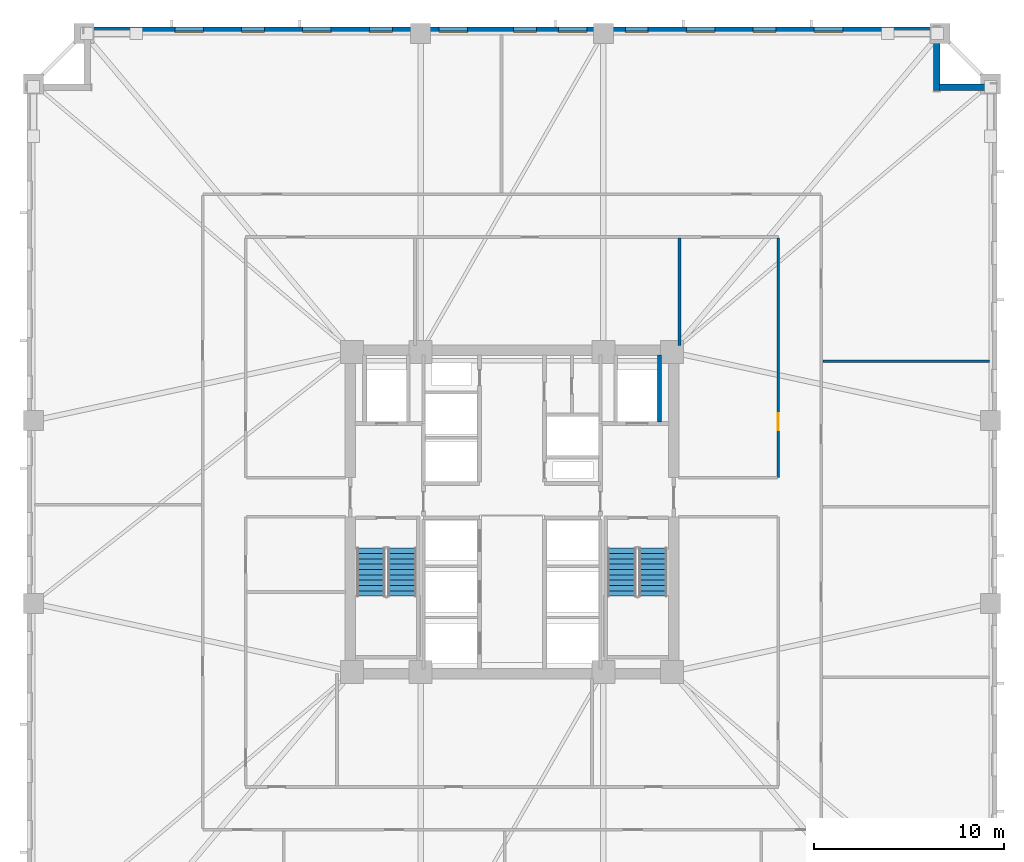
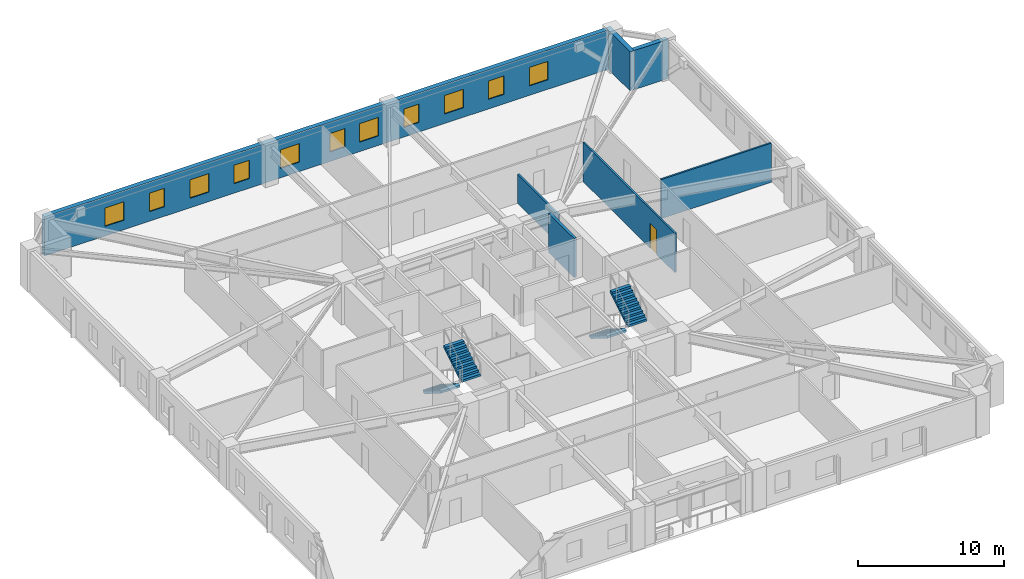
# One storey, part 6 of 11: 11 windows, 7 walls, 4 stair flights, 1 door, 12 openings, 2 elements without a shape of their own.
"""IFC4 building model written with IfcOpenShell, lengths in metres."""

from ifc_helpers import new_model, si_unit, direction, frame, frame_2d, origin, place, context, subcontext, project, spatial, polyline, rectangle, outline, extrude, material, layer, layer_set, type_object, element, fill, aggregate, save


model = new_model("IFC4")

# Units and contexts
model_context = context("Model", 3, precision=1e-05, world=origin(), true_north=direction((0.0, 1.0)))
body_context = subcontext(model_context, "Body", "Model", "MODEL_VIEW")
ifc_project = project(units=[si_unit("LENGTHUNIT", "METRE"), si_unit("AREAUNIT", "SQUARE_METRE"), si_unit("VOLUMEUNIT", "CUBIC_METRE"), si_unit("PLANEANGLEUNIT", "RADIAN"), si_unit("MASSUNIT", "GRAM", prefix="KILO")], contexts=[model_context])

# Site, building, storey
site_placement = place(None, origin())
site = spatial("IfcSite", under=ifc_project, at=site_placement, CompositionType="ELEMENT")
building_placement = place(site_placement, origin())
building = spatial("IfcBuilding", under=site, at=building_placement, Name="Cairnveth Concourse Tower", CompositionType="ELEMENT")
storey_placement = place(building_placement, frame((0.0, 0.0, 37.5)))
storey = spatial("IfcBuildingStorey", under=building, at=storey_placement, Name="L09", CompositionType="ELEMENT", Elevation=37.5)

# Wall
ifc_material_1 = material(Name="Concrete N50 (50 MPa)", Category="concrete")
ifc_layer_1 = layer(ifc_material_1, 0.199951171875)
ifc_layer_set_1 = layer_set([ifc_layer_1], Name="Concrete N50 (50 MPa)")
wall_type_1 = type_object("IfcWallType", Name="FIRE SHAFT WALL 200", PredefinedType="SOLIDWALL", material=ifc_layer_set_1)
wall_1_placement = place(storey_placement, frame((59.75, 43.735107421875, 0.0), z_axis=(0.0, 0.0, 1.0), x_axis=(0.0, 1.0, 0.0)))
element("IfcWall", 1, at=wall_1_placement, inside=storey, type_object=wall_type_1, Name="Interior Wall IW-L09-024", PredefinedType="SOLIDWALL", context=body_context, shape_type="SweptSolid", body=[
    extrude(rectangle(XDim=3.5048828125, YDim=0.199951171875, at=frame_2d((1.75244140625, 0.0))), origin(), (0.0, 0.0, 1.0), 3.280029296875),
])

# Wall, opening, door
ifc_material_2 = material(Name="Gypsum Plasterboard Partition", Category="gypsum")
ifc_layer_2 = layer(ifc_material_2, 0.139892578125)
ifc_layer_set_2 = layer_set([ifc_layer_2], Name="Gypsum Plasterboard Partition")
wall_type_2 = type_object("IfcWallType", Name="GYPSUM STUD PARTITION 140", PredefinedType="PARTITIONING", material=ifc_layer_set_2)
wall_2_placement = place(storey_placement, frame((66.0, 40.800048828125, 0.0), z_axis=(0.0, 0.0, 1.0), x_axis=(0.0, 1.0, 0.0)))
wall_2 = element("IfcWall", 2, at=wall_2_placement, inside=storey, type_object=wall_type_2, Name="Interior Wall IW-L09-049", PredefinedType="PARTITIONING", context=body_context, shape_type="SweptSolid", body=[
    extrude(rectangle(XDim=12.594970703125, YDim=0.139892578125, at=frame_2d((6.29736328125, 0.0))), origin(), (0.0, 0.0, 1.0), 3.280029296875),
])
opening_1_placement = place(wall_2_placement, frame((2.5, 0.0, 0.0)))
opening_1 = element("IfcOpeningElement", 3, at=opening_1_placement, cuts=wall_2, Name="Opening ID18", PredefinedType="OPENING", context=body_context, shape_type="SweptSolid", body=[
    extrude(rectangle(XDim=0.8798828125, YDim=2.10009765625, at=frame_2d((0.43994140625, 1.050048828125))), frame((0.0, 0.079833984375, 0.0), z_axis=(0.0, -1.0, 0.0), x_axis=(1.0, 0.0, 0.0)), (0.0, 0.0, 1.0), 0.159912109375),
])
ifc_material_3 = material(Name="Solid Core Hardwood Timber Leaf", Category="wood")
door_type = type_object("IfcDoorType", Name="INTERIOR SINGLE DOOR 880X2100", OperationType="NOTDEFINED", PredefinedType="DOOR", material=ifc_material_3)
door_placement = place(opening_1_placement, origin())
door = element("IfcDoor", 4, at=door_placement, inside=storey, type_object=door_type, Name="Interior Door DR-L09-024", OperationType="SINGLE_SWING_RIGHT", OverallHeight=2.10009765625, OverallWidth=0.8798828125, PredefinedType="DOOR", context=body_context, shape_type="SweptSolid", body=[
    extrude(rectangle(XDim=0.8798828125, YDim=2.10009765625, at=frame_2d((0.43994140625, 1.050048828125))), frame((0.0, 0.02490234375, 0.0), z_axis=(0.0, -1.0, 0.0), x_axis=(1.0, 0.0, 0.0)), (0.0, 0.0, 1.0), 0.050048828125),
])
fill(opening_1, door)

# Walls
wall_3_placement = place(storey_placement, frame((60.800048828125, 47.760009765625, 0.0), z_axis=(0.0, 0.0, 1.0), x_axis=(0.0, 1.0, 0.0)))
element("IfcWall", 5, at=wall_3_placement, inside=storey, type_object=wall_type_2, Name="Interior Wall IW-L09-055", PredefinedType="PARTITIONING", context=body_context, shape_type="SweptSolid", body=[
    extrude(rectangle(XDim=5.635009765625, YDim=0.139892578125, at=frame_2d((2.8173828125, 0.0))), origin(), (0.0, 0.0, 1.0), 2.43896484375),
])
wall_4_placement = place(storey_placement, frame((68.35009765625, 46.913330078125, 0.0), z_axis=(0.0, 0.0, 1.0), x_axis=(1.0, 0.0, 0.0)))
element("IfcWall", 6, at=wall_4_placement, inside=storey, type_object=wall_type_2, Name="Interior Wall IW-L09-064", PredefinedType="PARTITIONING", context=body_context, shape_type="SweptSolid", body=[
    extrude(rectangle(XDim=8.72998046875, YDim=0.139892578125, at=frame_2d((4.364990234375, 0.0))), origin(), (0.0, 0.0, 1.0), 3.280029296875),
])

# Wall, openings, windows
ifc_material_4 = material(Name="Hawthorn Red-Ochre Fired Clay Brick Masonry", Category="masonry")
ifc_layer_3 = layer(ifc_material_4, 0.360107421875)
ifc_layer_set_3 = layer_set([ifc_layer_3], Name="Hawthorn Red-Ochre Fired Clay Brick Masonry")
wall_type_3 = type_object("IfcWallType", Name="ZONE 1 BRICK PIER SPANDREL WALL 360", PredefinedType="SOLIDWALL", material=ifc_layer_set_3)
wall_5_placement = place(storey_placement, frame((29.5, 64.320068359375, 0.0), z_axis=(0.0, 0.0, 1.0), x_axis=(1.0, 0.0, 0.0)))
wall_5 = element("IfcWall", 7, at=wall_5_placement, inside=storey, type_object=wall_type_3, Name="Exterior Wall EW-L09-S06", PredefinedType="SOLIDWALL", context=body_context, shape_type="SweptSolid", body=[
    extrude(rectangle(XDim=44.662109375, YDim=0.360107421875, at=frame_2d((22.3310546875, 0.0))), origin(), (0.0, 0.0, 1.0), 3.280029296875),
])
opening_2_placement = place(wall_5_placement, frame((4.780029296875, 0.0, 0.800048828125)))
opening_2 = element("IfcOpeningElement", 8, at=opening_2_placement, cuts=wall_5, Name="Opening W03", PredefinedType="OPENING", context=body_context, shape_type="SweptSolid", body=[
    extrude(rectangle(XDim=1.5, YDim=1.5439453125, at=frame_2d((0.75, 0.77197265625))), frame((0.0, 0.18994140625, 0.0), z_axis=(0.0, -1.0, 0.0), x_axis=(1.0, 0.0, 0.0)), (0.0, 0.0, 1.0), 0.380126953125),
])
opening_3_placement = place(wall_5_placement, frame((8.290283203125, 0.0, 0.800048828125)))
opening_3 = element("IfcOpeningElement", 9, at=opening_3_placement, cuts=wall_5, Name="Opening W01", PredefinedType="OPENING", context=body_context, shape_type="SweptSolid", body=[
    extrude(rectangle(XDim=1.199951171875, YDim=1.5439453125, at=frame_2d((0.60009765625, 0.77197265625))), frame((0.0, 0.18994140625, 0.0), z_axis=(0.0, -1.0, 0.0), x_axis=(1.0, 0.0, 0.0)), (0.0, 0.0, 1.0), 0.380126953125),
])
opening_4_placement = place(wall_5_placement, frame((11.50048828125, 0.0, 0.800048828125)))
opening_4 = element("IfcOpeningElement", 10, at=opening_4_placement, cuts=wall_5, Name="Opening W03", PredefinedType="OPENING", context=body_context, shape_type="SweptSolid", body=[
    extrude(rectangle(XDim=1.5, YDim=1.5439453125, at=frame_2d((0.75, 0.77197265625))), frame((0.0, 0.18994140625, 0.0), z_axis=(0.0, -1.0, 0.0), x_axis=(1.0, 0.0, 0.0)), (0.0, 0.0, 1.0), 0.380126953125),
])
opening_5_placement = place(wall_5_placement, frame((15.010498046875, 0.0, 0.800048828125)))
opening_5 = element("IfcOpeningElement", 11, at=opening_5_placement, cuts=wall_5, Name="Opening W01", PredefinedType="OPENING", context=body_context, shape_type="SweptSolid", body=[
    extrude(rectangle(XDim=1.199951171875, YDim=1.5439453125, at=frame_2d((0.60009765625, 0.77197265625))), frame((0.0, 0.18994140625, 0.0), z_axis=(0.0, -1.0, 0.0), x_axis=(1.0, 0.0, 0.0)), (0.0, 0.0, 1.0), 0.380126953125),
])
opening_6_placement = place(wall_5_placement, frame((18.6708984375, 0.0, 0.800048828125)))
opening_6 = element("IfcOpeningElement", 12, at=opening_6_placement, cuts=wall_5, Name="Opening W03", PredefinedType="OPENING", context=body_context, shape_type="SweptSolid", body=[
    extrude(rectangle(XDim=1.5, YDim=1.5439453125, at=frame_2d((0.75, 0.77197265625))), frame((0.0, 0.18994140625, 0.0), z_axis=(0.0, -1.0, 0.0), x_axis=(1.0, 0.0, 0.0)), (0.0, 0.0, 1.0), 0.380126953125),
])
opening_7_placement = place(wall_5_placement, frame((22.5810546875, 0.0, 0.800048828125)))
opening_7 = element("IfcOpeningElement", 13, at=opening_7_placement, cuts=wall_5, Name="Opening W01", PredefinedType="OPENING", context=body_context, shape_type="SweptSolid", body=[
    extrude(rectangle(XDim=1.199951171875, YDim=1.5439453125, at=frame_2d((0.60009765625, 0.77197265625))), frame((0.0, 0.18994140625, 0.0), z_axis=(0.0, -1.0, 0.0), x_axis=(1.0, 0.0, 0.0)), (0.0, 0.0, 1.0), 0.380126953125),
])
opening_8_placement = place(wall_5_placement, frame((24.941162109375, 0.0, 0.800048828125)))
opening_8 = element("IfcOpeningElement", 14, at=opening_8_placement, cuts=wall_5, Name="Opening W03", PredefinedType="OPENING", context=body_context, shape_type="SweptSolid", body=[
    extrude(rectangle(XDim=1.5, YDim=1.5439453125, at=frame_2d((0.75, 0.77197265625))), frame((0.0, 0.18994140625, 0.0), z_axis=(0.0, -1.0, 0.0), x_axis=(1.0, 0.0, 0.0)), (0.0, 0.0, 1.0), 0.380126953125),
])
opening_9_placement = place(wall_5_placement, frame((28.451416015625, 0.0, 0.800048828125)))
opening_9 = element("IfcOpeningElement", 15, at=opening_9_placement, cuts=wall_5, Name="Opening W01", PredefinedType="OPENING", context=body_context, shape_type="SweptSolid", body=[
    extrude(rectangle(XDim=1.199951171875, YDim=1.5439453125, at=frame_2d((0.60009765625, 0.77197265625))), frame((0.0, 0.18994140625, 0.0), z_axis=(0.0, -1.0, 0.0), x_axis=(1.0, 0.0, 0.0)), (0.0, 0.0, 1.0), 0.380126953125),
])
opening_10_placement = place(wall_5_placement, frame((31.66162109375, 0.0, 0.800048828125)))
opening_10 = element("IfcOpeningElement", 16, at=opening_10_placement, cuts=wall_5, Name="Opening W03", PredefinedType="OPENING", context=body_context, shape_type="SweptSolid", body=[
    extrude(rectangle(XDim=1.5, YDim=1.5439453125, at=frame_2d((0.75, 0.77197265625))), frame((0.0, 0.18994140625, 0.0), z_axis=(0.0, -1.0, 0.0), x_axis=(1.0, 0.0, 0.0)), (0.0, 0.0, 1.0), 0.380126953125),
])
opening_11_placement = place(wall_5_placement, frame((35.171630859375, 0.0, 0.800048828125)))
opening_11 = element("IfcOpeningElement", 17, at=opening_11_placement, cuts=wall_5, Name="Opening W01", PredefinedType="OPENING", context=body_context, shape_type="SweptSolid", body=[
    extrude(rectangle(XDim=1.199951171875, YDim=1.5439453125, at=frame_2d((0.60009765625, 0.77197265625))), frame((0.0, 0.18994140625, 0.0), z_axis=(0.0, -1.0, 0.0), x_axis=(1.0, 0.0, 0.0)), (0.0, 0.0, 1.0), 0.380126953125),
])
opening_12_placement = place(wall_5_placement, frame((38.3818359375, 0.0, 0.800048828125)))
opening_12 = element("IfcOpeningElement", 18, at=opening_12_placement, cuts=wall_5, Name="Opening W03", PredefinedType="OPENING", context=body_context, shape_type="SweptSolid", body=[
    extrude(rectangle(XDim=1.5, YDim=1.5439453125, at=frame_2d((0.75, 0.77197265625))), frame((0.0, 0.18994140625, 0.0), z_axis=(0.0, -1.0, 0.0), x_axis=(1.0, 0.0, 0.0)), (0.0, 0.0, 1.0), 0.380126953125),
])
ifc_material_5 = material(Name="Double Glazed Low-E Clear Glass", Category="glass")
window_type_1 = type_object("IfcWindowType", Name="DEEP-SET GOTHIC LANCET WINDOW 1200X1800", PartitioningType="DOUBLE_PANEL_VERTICAL", PredefinedType="WINDOW", material=ifc_material_5)
window_1_placement = place(opening_3_placement, origin())
window_1 = element("IfcWindow", 19, at=window_1_placement, inside=storey, type_object=window_type_1, Name="Gothic Lancet Window L09-6-2", OverallHeight=1.5439453125, OverallWidth=1.199951171875, PartitioningType="SINGLE_PANEL", PredefinedType="WINDOW", context=body_context, shape_type="SweptSolid", body=[
    extrude(rectangle(XDim=1.199951171875, YDim=1.5439453125, at=frame_2d((0.60009765625, 0.77197265625))), frame((0.0, -0.050048828125, 0.0), z_axis=(0.0, -1.0, 0.0), x_axis=(1.0, 0.0, 0.0)), (0.0, 0.0, 1.0), 0.06005859375),
])
fill(opening_3, window_1)
window_2_placement = place(opening_5_placement, origin())
window_2 = element("IfcWindow", 20, at=window_2_placement, inside=storey, type_object=window_type_1, Name="Gothic Lancet Window L09-6-4", OverallHeight=1.5439453125, OverallWidth=1.199951171875, PartitioningType="SINGLE_PANEL", PredefinedType="WINDOW", context=body_context, shape_type="SweptSolid", body=[
    extrude(rectangle(XDim=1.199951171875, YDim=1.5439453125, at=frame_2d((0.60009765625, 0.77197265625))), frame((0.0, -0.050048828125, 0.0), z_axis=(0.0, -1.0, 0.0), x_axis=(1.0, 0.0, 0.0)), (0.0, 0.0, 1.0), 0.06005859375),
])
fill(opening_5, window_2)
window_3_placement = place(opening_7_placement, origin())
window_3 = element("IfcWindow", 21, at=window_3_placement, inside=storey, type_object=window_type_1, Name="Gothic Lancet Window L09-6-6", OverallHeight=1.5439453125, OverallWidth=1.199951171875, PartitioningType="SINGLE_PANEL", PredefinedType="WINDOW", context=body_context, shape_type="SweptSolid", body=[
    extrude(rectangle(XDim=1.199951171875, YDim=1.5439453125, at=frame_2d((0.60009765625, 0.77197265625))), frame((0.0, -0.050048828125, 0.0), z_axis=(0.0, -1.0, 0.0), x_axis=(1.0, 0.0, 0.0)), (0.0, 0.0, 1.0), 0.06005859375),
])
fill(opening_7, window_3)
window_4_placement = place(opening_9_placement, origin())
window_4 = element("IfcWindow", 22, at=window_4_placement, inside=storey, type_object=window_type_1, Name="Gothic Lancet Window L09-6-8", OverallHeight=1.5439453125, OverallWidth=1.199951171875, PartitioningType="SINGLE_PANEL", PredefinedType="WINDOW", context=body_context, shape_type="SweptSolid", body=[
    extrude(rectangle(XDim=1.199951171875, YDim=1.5439453125, at=frame_2d((0.60009765625, 0.77197265625))), frame((0.0, -0.050048828125, 0.0), z_axis=(0.0, -1.0, 0.0), x_axis=(1.0, 0.0, 0.0)), (0.0, 0.0, 1.0), 0.06005859375),
])
fill(opening_9, window_4)
window_5_placement = place(opening_11_placement, origin())
window_5 = element("IfcWindow", 23, at=window_5_placement, inside=storey, type_object=window_type_1, Name="Gothic Lancet Window L09-6-10", OverallHeight=1.5439453125, OverallWidth=1.199951171875, PartitioningType="SINGLE_PANEL", PredefinedType="WINDOW", context=body_context, shape_type="SweptSolid", body=[
    extrude(rectangle(XDim=1.199951171875, YDim=1.5439453125, at=frame_2d((0.60009765625, 0.77197265625))), frame((0.0, -0.050048828125, 0.0), z_axis=(0.0, -1.0, 0.0), x_axis=(1.0, 0.0, 0.0)), (0.0, 0.0, 1.0), 0.06005859375),
])
fill(opening_11, window_5)
window_type_2 = type_object("IfcWindowType", Name="DEEP-SET GOTHIC LANCET WINDOW 1500X1800", PartitioningType="DOUBLE_PANEL_VERTICAL", PredefinedType="WINDOW", material=ifc_material_5)
window_6_placement = place(opening_2_placement, origin())
window_6 = element("IfcWindow", 24, at=window_6_placement, inside=storey, type_object=window_type_2, Name="Gothic Lancet Window L09-6-1", OverallHeight=1.5439453125, OverallWidth=1.5, PartitioningType="SINGLE_PANEL", PredefinedType="WINDOW", context=body_context, shape_type="SweptSolid", body=[
    extrude(rectangle(XDim=1.5, YDim=1.5439453125, at=frame_2d((0.75, 0.77197265625))), frame((0.0, -0.050048828125, 0.0), z_axis=(0.0, -1.0, 0.0), x_axis=(1.0, 0.0, 0.0)), (0.0, 0.0, 1.0), 0.06005859375),
])
fill(opening_2, window_6)
window_7_placement = place(opening_4_placement, origin())
window_7 = element("IfcWindow", 25, at=window_7_placement, inside=storey, type_object=window_type_2, Name="Gothic Lancet Window L09-6-3", OverallHeight=1.5439453125, OverallWidth=1.5, PartitioningType="SINGLE_PANEL", PredefinedType="WINDOW", context=body_context, shape_type="SweptSolid", body=[
    extrude(rectangle(XDim=1.5, YDim=1.5439453125, at=frame_2d((0.75, 0.77197265625))), frame((0.0, -0.050048828125, 0.0), z_axis=(0.0, -1.0, 0.0), x_axis=(1.0, 0.0, 0.0)), (0.0, 0.0, 1.0), 0.06005859375),
])
fill(opening_4, window_7)
window_8_placement = place(opening_6_placement, origin())
window_8 = element("IfcWindow", 26, at=window_8_placement, inside=storey, type_object=window_type_2, Name="Gothic Lancet Window L09-6-5", OverallHeight=1.5439453125, OverallWidth=1.5, PartitioningType="SINGLE_PANEL", PredefinedType="WINDOW", context=body_context, shape_type="SweptSolid", body=[
    extrude(rectangle(XDim=1.5, YDim=1.5439453125, at=frame_2d((0.75, 0.77197265625))), frame((0.0, -0.050048828125, 0.0), z_axis=(0.0, -1.0, 0.0), x_axis=(1.0, 0.0, 0.0)), (0.0, 0.0, 1.0), 0.06005859375),
])
fill(opening_6, window_8)
window_9_placement = place(opening_8_placement, origin())
window_9 = element("IfcWindow", 27, at=window_9_placement, inside=storey, type_object=window_type_2, Name="Gothic Lancet Window L09-6-7", OverallHeight=1.5439453125, OverallWidth=1.5, PartitioningType="SINGLE_PANEL", PredefinedType="WINDOW", context=body_context, shape_type="SweptSolid", body=[
    extrude(rectangle(XDim=1.5, YDim=1.5439453125, at=frame_2d((0.75, 0.77197265625))), frame((0.0, -0.050048828125, 0.0), z_axis=(0.0, -1.0, 0.0), x_axis=(1.0, 0.0, 0.0)), (0.0, 0.0, 1.0), 0.06005859375),
])
fill(opening_8, window_9)
window_10_placement = place(opening_10_placement, origin())
window_10 = element("IfcWindow", 28, at=window_10_placement, inside=storey, type_object=window_type_2, Name="Gothic Lancet Window L09-6-9", OverallHeight=1.5439453125, OverallWidth=1.5, PartitioningType="SINGLE_PANEL", PredefinedType="WINDOW", context=body_context, shape_type="SweptSolid", body=[
    extrude(rectangle(XDim=1.5, YDim=1.5439453125, at=frame_2d((0.75, 0.77197265625))), frame((0.0, -0.050048828125, 0.0), z_axis=(0.0, -1.0, 0.0), x_axis=(1.0, 0.0, 0.0)), (0.0, 0.0, 1.0), 0.06005859375),
])
fill(opening_10, window_10)
window_11_placement = place(opening_12_placement, origin())
window_11 = element("IfcWindow", 29, at=window_11_placement, inside=storey, type_object=window_type_2, Name="Gothic Lancet Window L09-6-11", OverallHeight=1.5439453125, OverallWidth=1.5, PartitioningType="SINGLE_PANEL", PredefinedType="WINDOW", context=body_context, shape_type="SweptSolid", body=[
    extrude(rectangle(XDim=1.5, YDim=1.5439453125, at=frame_2d((0.75, 0.77197265625))), frame((0.0, -0.050048828125, 0.0), z_axis=(0.0, -1.0, 0.0), x_axis=(1.0, 0.0, 0.0)), (0.0, 0.0, 1.0), 0.06005859375),
])
fill(opening_12, window_11)

# Walls
wall_6_placement = place(storey_placement, frame((74.320068359375, 64.5, 0.0), z_axis=(0.0, 0.0, 1.0), x_axis=(0.0, -1.0, 0.0)))
element("IfcWall", 30, at=wall_6_placement, inside=storey, type_object=wall_type_3, Name="Exterior Wall EW-L09-S07", PredefinedType="SOLIDWALL", context=body_context, shape_type="SweptSolid", body=[
    extrude(rectangle(XDim=3.360107421875, YDim=0.360107421875, at=frame_2d((1.68017578125, 0.0))), origin(), (0.0, 0.0, 1.0), 3.280029296875),
])
wall_7_placement = place(storey_placement, frame((74.47802734375, 61.320068359375, 0.0), z_axis=(0.0, 0.0, 1.0), x_axis=(1.0, 0.0, 0.0)))
element("IfcWall", 31, at=wall_7_placement, inside=storey, type_object=wall_type_3, Name="Exterior Wall EW-L09-S08", PredefinedType="SOLIDWALL", context=body_context, shape_type="SweptSolid", body=[
    extrude(rectangle(XDim=2.68408203125, YDim=0.360107421875, at=frame_2d((1.342041015625, 0.0))), origin(), (0.0, 0.0, 1.0), 3.280029296875),
])

# Stair, stair flights
ifc_material_6 = material(Name="Precast concrete N50 (50 MPa)", Category="concrete")
stair_type = type_object("IfcStairType", Name="CORE DOG-LEG FIRE STAIR 1500", PredefinedType="HALF_TURN_STAIR", material=ifc_material_6)
stair_1_placement = place(storey_placement, origin())
stair_1 = element("IfcStair", 32, at=stair_1_placement, inside=storey, type_object=stair_type, Name="L09 Fire-Isolated Stair ST-1", PredefinedType="HALF_TURN_STAIR")
stair_flight_type = type_object("IfcStairFlightType", Name="PRECAST CONCRETE STAIR FLIGHT 1500", PredefinedType="STRAIGHT", material=ifc_material_6)
stair_flight_1_placement = place(storey_placement, frame((44.590087890625, 37.10009765625, 0.0), z_axis=(0.0, 0.0, 1.0), x_axis=(0.0, -1.0, 0.0)))
stair_flight_1 = element("IfcStairFlight", 33, at=stair_flight_1_placement, type_object=stair_flight_type, Name="ST-1 flight 1", NumberOfRisers=10, NumberOfTreads=9, PredefinedType="STRAIGHT", RiserHeight=0.175, TreadLength=0.28, context=body_context, shape_type="SweptSolid", body=[
    extrude(outline(polyline([(0.0, 0.0), (0.0, 0.175048828125), (0.280029296875, 0.175048828125), (0.280029296875, 0.35009765625), (0.56005859375, 0.35009765625), (0.56005859375, 0.52490234375), (0.840087890625, 0.52490234375), (0.840087890625, 0.699951171875), (1.1201171875, 0.699951171875), (1.1201171875, 0.875), (1.39990234375, 0.875), (1.39990234375, 1.050048828125), (1.679931640625, 1.050048828125), (1.679931640625, 1.22509765625), (1.9599609375, 1.22509765625), (1.9599609375, 1.39990234375), (2.239990234375, 1.39990234375), (2.239990234375, 1.574951171875), (2.52001953125, 1.574951171875), (2.52001953125, 1.75), (2.52001953125, 1.398193359375), (0.28271484375, 0.0), (0.0, 0.0)])), frame((0.0, 0.75, 0.0), z_axis=(0.0, -1.0, 0.0), x_axis=(1.0, 0.0, 0.0)), (0.0, 0.0, 1.0), 1.5),
])
stair_flight_2_placement = place(storey_placement, frame((46.22998046875, 34.580078125, 1.75), z_axis=(0.0, 0.0, 1.0), x_axis=(0.0, 1.0, 0.0)))
stair_flight_2 = element("IfcStairFlight", 34, at=stair_flight_2_placement, type_object=stair_flight_type, Name="ST-1 flight 2", NumberOfRisers=10, NumberOfTreads=9, PredefinedType="STRAIGHT", RiserHeight=0.175, TreadLength=0.28, context=body_context, shape_type="SweptSolid", body=[
    extrude(outline(polyline([(0.0, 0.0), (0.0, 0.175048828125), (0.280029296875, 0.175048828125), (0.280029296875, 0.35009765625), (0.56005859375, 0.35009765625), (0.56005859375, 0.52490234375), (0.840087890625, 0.52490234375), (0.840087890625, 0.699951171875), (1.1201171875, 0.699951171875), (1.1201171875, 0.875), (1.39990234375, 0.875), (1.39990234375, 1.050048828125), (1.679931640625, 1.050048828125), (1.679931640625, 1.22509765625), (1.9599609375, 1.22509765625), (1.9599609375, 1.39990234375), (2.239990234375, 1.39990234375), (2.239990234375, 1.574951171875), (2.52001953125, 1.574951171875), (2.52001953125, 1.75), (2.52001953125, 1.398193359375), (0.28271484375, 0.0), (0.0, 0.0)])), frame((0.0, 0.75, 0.0), z_axis=(0.0, -1.0, 0.0), x_axis=(1.0, 0.0, 0.0)), (0.0, 0.0, 1.0), 1.5),
])
aggregate(stair_1, [stair_flight_1, stair_flight_2])

stair_2_placement = place(storey_placement, origin())
stair_2 = element("IfcStair", 35, at=stair_2_placement, inside=storey, type_object=stair_type, Name="L09 Fire-Isolated Stair ST-2", PredefinedType="HALF_TURN_STAIR")
stair_flight_3_placement = place(storey_placement, frame((57.77001953125, 37.10009765625, 0.0), z_axis=(0.0, 0.0, 1.0), x_axis=(0.0, -1.0, 0.0)))
stair_flight_3 = element("IfcStairFlight", 36, at=stair_flight_3_placement, type_object=stair_flight_type, Name="ST-2 flight 1", NumberOfRisers=10, NumberOfTreads=9, PredefinedType="STRAIGHT", RiserHeight=0.175, TreadLength=0.28, context=body_context, shape_type="SweptSolid", body=[
    extrude(outline(polyline([(0.0, 0.0), (0.0, 0.175048828125), (0.280029296875, 0.175048828125), (0.280029296875, 0.35009765625), (0.56005859375, 0.35009765625), (0.56005859375, 0.52490234375), (0.840087890625, 0.52490234375), (0.840087890625, 0.699951171875), (1.1201171875, 0.699951171875), (1.1201171875, 0.875), (1.39990234375, 0.875), (1.39990234375, 1.050048828125), (1.679931640625, 1.050048828125), (1.679931640625, 1.22509765625), (1.9599609375, 1.22509765625), (1.9599609375, 1.39990234375), (2.239990234375, 1.39990234375), (2.239990234375, 1.574951171875), (2.52001953125, 1.574951171875), (2.52001953125, 1.75), (2.52001953125, 1.398193359375), (0.28271484375, 0.0), (0.0, 0.0)])), frame((0.0, 0.75, 0.0), z_axis=(0.0, -1.0, 0.0), x_axis=(1.0, 0.0, 0.0)), (0.0, 0.0, 1.0), 1.5),
])
stair_flight_4_placement = place(storey_placement, frame((59.409912109375, 34.580078125, 1.75), z_axis=(0.0, 0.0, 1.0), x_axis=(0.0, 1.0, 0.0)))
stair_flight_4 = element("IfcStairFlight", 37, at=stair_flight_4_placement, type_object=stair_flight_type, Name="ST-2 flight 2", NumberOfRisers=10, NumberOfTreads=9, PredefinedType="STRAIGHT", RiserHeight=0.175, TreadLength=0.28, context=body_context, shape_type="SweptSolid", body=[
    extrude(outline(polyline([(0.0, 0.0), (0.0, 0.175048828125), (0.280029296875, 0.175048828125), (0.280029296875, 0.35009765625), (0.56005859375, 0.35009765625), (0.56005859375, 0.52490234375), (0.840087890625, 0.52490234375), (0.840087890625, 0.699951171875), (1.1201171875, 0.699951171875), (1.1201171875, 0.875), (1.39990234375, 0.875), (1.39990234375, 1.050048828125), (1.679931640625, 1.050048828125), (1.679931640625, 1.22509765625), (1.9599609375, 1.22509765625), (1.9599609375, 1.39990234375), (2.239990234375, 1.39990234375), (2.239990234375, 1.574951171875), (2.52001953125, 1.574951171875), (2.52001953125, 1.75), (2.52001953125, 1.398193359375), (0.28271484375, 0.0), (0.0, 0.0)])), frame((0.0, 0.75, 0.0), z_axis=(0.0, -1.0, 0.0), x_axis=(1.0, 0.0, 0.0)), (0.0, 0.0, 1.0), 1.5),
])
aggregate(stair_2, [stair_flight_3, stair_flight_4])

save(model, "model.ifc")
